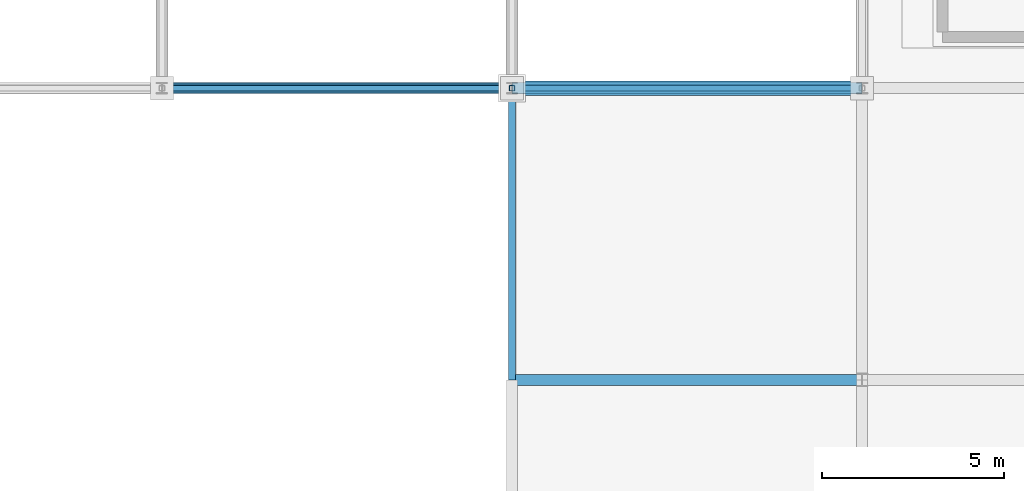
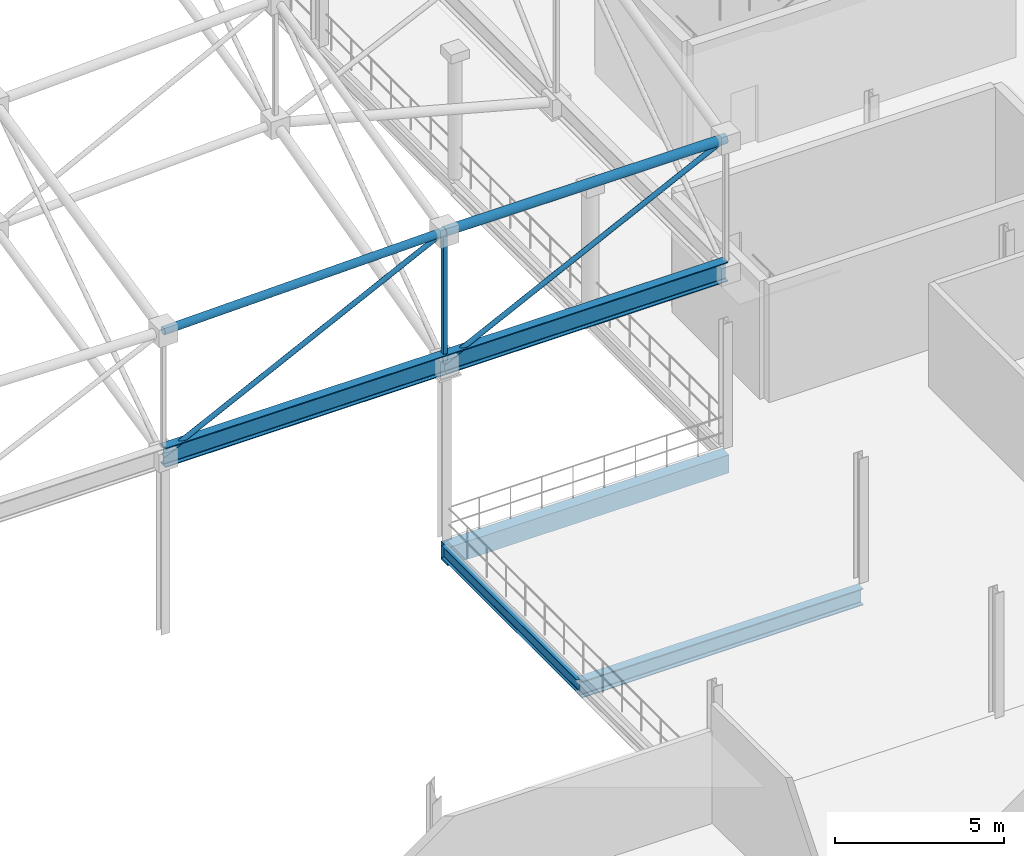
# One storey, part 79 of 193: 5 beams, 5 members.
"""IFC4 building model written with IfcOpenShell, lengths in metres."""

import ifcopenshell
import ifcopenshell.guid

model = None  # the IFC model being written
_history = None  # IfcOwnerHistory: only IFC2X3 demands one
_inside = {}  # id of a spatial element -> (the spatial element, [elements in it])
_under = {}  # id of a project, library or spatial element -> (it, [spatial elements below it])
_declared = {}  # id of a project -> (the project, [libraries it declares])
_typed = {}  # id of a type object -> (the type object, [elements of that type])
_made_of = {}  # id of a material, layer set ... -> (it, [elements and type objects made of it])


def new_model(schema):
    """Start an empty IFC model of exactly this schema.

    Asked for "IFC4X3", IfcOpenShell would pick the latest addendum, in which some entities
    have other attributes; the version numbers below select the first issue.
    IFC2X3 requires an IfcOwnerHistory on every rooted entity: one is made here for all.
    """
    global model, _history
    if schema == "IFC4X3":
        model = ifcopenshell.file(schema_version=(4, 3, 0, 0))
    else:
        model = ifcopenshell.file(schema=schema)
    _inside.clear()
    _under.clear()
    _declared.clear()
    _typed.clear()
    _made_of.clear()
    _history = None
    if model.schema == "IFC2X3":
        org = make("IfcOrganization", Name="unknown")
        user = make(
            "IfcPersonAndOrganization",
            ThePerson=make("IfcPerson", FamilyName="unknown"),
            TheOrganization=org,
        )
        app = make(
            "IfcApplication",
            ApplicationDeveloper=org,
            Version="unknown",
            ApplicationFullName="unknown",
            ApplicationIdentifier="unknown",
        )
        _history = make(
            "IfcOwnerHistory",
            OwningUser=user,
            OwningApplication=app,
            ChangeAction="ADDED",
            CreationDate=0,
        )
    return model


def make(cls, **values):
    """One entity of the class cls with the attributes given. An attribute that is None is left unset."""
    return model.create_entity(
        cls, **{name: value for name, value in values.items() if value is not None}
    )


def rooted(cls, **values):
    """An entity with a GlobalId (a new one), such as an element, a storey or a relation."""
    return make(cls, GlobalId=ifcopenshell.guid.new(), OwnerHistory=_history, **values)


def si_unit(unit_type, name, prefix=None):
    """IfcSIUnit, for example si_unit("LENGTHUNIT", "METRE", prefix="MILLI")."""
    return make("IfcSIUnit", UnitType=unit_type, Prefix=prefix, Name=name)


def assignment(units):
    """IfcUnitAssignment: the units of a project."""
    return None if units is None else make("IfcUnitAssignment", Units=units)


def point(xyz):
    """IfcCartesianPoint."""
    return None if xyz is None else make("IfcCartesianPoint", Coordinates=xyz)


def direction(xyz):
    """IfcDirection."""
    return None if xyz is None else make("IfcDirection", DirectionRatios=xyz)


def frame(location, z_axis=None, x_axis=None):
    """IfcAxis2Placement3D, a coordinate frame: its origin and axes. An axis left out is left unset."""
    return make(
        "IfcAxis2Placement3D",
        Location=point(location),
        Axis=direction(z_axis),
        RefDirection=direction(x_axis),
    )


def frame_2d(location, x_axis=None):
    """IfcAxis2Placement2D, a coordinate frame in the plane: its origin and x axis."""
    return make(
        "IfcAxis2Placement2D", Location=point(location), RefDirection=direction(x_axis)
    )


def origin():
    """The frame at (0, 0, 0) with its axes left unset."""
    return frame((0.0, 0.0, 0.0))


def origin_2d():
    """The frame at (0, 0) in the plane with its x axis left unset."""
    return frame_2d((0.0, 0.0))


def place(relative_to, where):
    """IfcLocalPlacement: puts the frame where relative to a parent placement (None: the world)."""
    return make(
        "IfcLocalPlacement", PlacementRelTo=relative_to, RelativePlacement=where
    )


def context(
    kind, dimensions, precision=None, world=None, true_north=None, identifier=None
):
    """IfcGeometricRepresentationContext, for example the 3D "Model" context."""
    return make(
        "IfcGeometricRepresentationContext",
        ContextIdentifier=identifier,
        ContextType=kind,
        CoordinateSpaceDimension=dimensions,
        Precision=precision,
        WorldCoordinateSystem=world,
        TrueNorth=true_north,
    )


def subcontext(parent, identifier, kind, view, scale=None):
    """IfcGeometricRepresentationSubContext, for example "Body" below "Model"."""
    return make(
        "IfcGeometricRepresentationSubContext",
        ContextIdentifier=identifier,
        ContextType=kind,
        ParentContext=parent,
        TargetScale=scale,
        TargetView=view,
    )


def project(units=None, contexts=None):
    """IfcProject with its units and contexts."""
    return rooted(
        "IfcProject",
        Name="project",
        RepresentationContexts=contexts,
        UnitsInContext=assignment(units),
    )


def spatial(cls, under=None, at=None, **own):
    """A site, building, storey or space (cls), placed at a placement, below another one or the project."""
    s = rooted(cls, ObjectPlacement=at, **own)
    if under is not None:
        _under.setdefault(under.id(), (under, []))[1].append(s)
    return s


def profile(cls, at=None, kind="AREA", **sizes):
    """A parametric profile (cls). Its sizes go by their IFC names, for example OverallWidth=200.0."""
    return make(cls, ProfileType=kind, Position=at, **sizes)


def rectangle(**sizes):
    """IfcRectangleProfileDef."""
    return profile("IfcRectangleProfileDef", **sizes)


def hollow_rectangle(**sizes):
    """IfcRectangleHollowProfileDef."""
    return profile("IfcRectangleHollowProfileDef", **sizes)


def hollow_circle(**sizes):
    """IfcCircleHollowProfileDef."""
    return profile("IfcCircleHollowProfileDef", **sizes)


def i_section(**sizes):
    """IfcIShapeProfileDef."""
    return profile("IfcIShapeProfileDef", **sizes)


def extrude(swept, where, along, depth):
    """IfcExtrudedAreaSolid: the profile swept, set in the frame where, extruded along a direction by depth."""
    return make(
        "IfcExtrudedAreaSolid",
        SweptArea=swept,
        Position=where,
        ExtrudedDirection=direction(along),
        Depth=depth,
    )


def shape(context_of_items, identifier, shape_type, items):
    """IfcShapeRepresentation: the items that make up one representation, for example the "Body"."""
    return make(
        "IfcShapeRepresentation",
        ContextOfItems=context_of_items,
        RepresentationIdentifier=identifier,
        RepresentationType=shape_type,
        Items=items,
    )


def material(Name=None, Category=None):
    """IfcMaterial."""
    return make("IfcMaterial", Name=Name, Category=Category)


def material_profile(
    of_material, cross_section, Name=None, Category=None, Priority=None
):
    """IfcMaterialProfile: a cross section and its material."""
    return make(
        "IfcMaterialProfile",
        Name=Name,
        Material=of_material,
        Profile=cross_section,
        Priority=Priority,
        Category=Category,
    )


def profile_set(profiles, Name=None, composite=None):
    """IfcMaterialProfileSet."""
    return make(
        "IfcMaterialProfileSet",
        Name=Name,
        MaterialProfiles=profiles,
        CompositeProfile=composite,
    )


def made_of(thing, what):
    """Note that an element or type object is made of a material, layer set ...; save() writes the relation."""
    if what is not None:
        _made_of.setdefault(what.id(), (what, []))[1].append(thing)
    return thing


def type_object(cls, material=None, **own):
    """A type object (cls), such as IfcWallType, which elements share."""
    return made_of(rooted(cls, **own), material)


def element(
    cls,
    number,
    at=None,
    inside=None,
    cuts=None,
    type_object=None,
    material=None,
    context=None,
    identifier="Body",
    shape_type=None,
    held_by="IfcProductDefinitionShape",
    body=None,
    shapes=None,
    **own,
):
    """One element of the class cls, such as IfcWall. Its Tag is "e" and its number.

    at: its placement. inside: the storey or other place that contains it. cuts: it is an
    opening in that element (IfcRelVoidsElement). A single representation is given by context,
    identifier, shape_type and body (its items); several are given by shapes. held_by: the class
    of the entity that holds the representations. save() writes the other relations.
    """
    e = rooted(cls, Tag="e%d" % number, ObjectPlacement=at, **own)
    if body is not None:
        shapes = [shape(context, identifier, shape_type, body)]
    if shapes is not None:
        e.Representation = make(held_by, Representations=shapes)
    if inside is not None:
        _inside.setdefault(inside.id(), (inside, []))[1].append(e)
    if cuts is not None:
        rooted(
            "IfcRelVoidsElement", RelatingBuildingElement=cuts, RelatedOpeningElement=e
        )
    if type_object is not None:
        _typed.setdefault(type_object.id(), (type_object, []))[1].append(e)
    return made_of(e, material)


def aggregate(whole, parts):
    """IfcRelAggregates: a whole, such as a stair, and the parts it consists of."""
    return rooted("IfcRelAggregates", RelatingObject=whole, RelatedObjects=parts)


def save(model, path):
    """Write the relations noted so far, then the file.

    IfcRelAggregates (storeys below a building ...), IfcRelContainedInSpatialStructure (elements
    in a storey), IfcRelDefinesByType, IfcRelAssociatesMaterial and IfcRelDeclares: one each for
    every whole, place, type object, material and project.
    """
    for whole, parts in _under.values():
        aggregate(whole, parts)
    for where, things in _inside.values():
        rooted(
            "IfcRelContainedInSpatialStructure",
            RelatedElements=things,
            RelatingStructure=where,
        )
    for kind, things in _typed.values():
        rooted("IfcRelDefinesByType", RelatedObjects=things, RelatingType=kind)
    for what, things in _made_of.values():
        rooted("IfcRelAssociatesMaterial", RelatedObjects=things, RelatingMaterial=what)
    for by, libraries in _declared.values():
        rooted("IfcRelDeclares", RelatingContext=by, RelatedDefinitions=libraries)
    model.write(path)


model = new_model("IFC4")

# Units and contexts
model_context = context("Model", 3, precision=1e-05, world=origin(), true_north=direction((0.0, 1.0)))
body_context = subcontext(model_context, "Body", "Model", "MODEL_VIEW")
ifc_project = project(units=[si_unit("LENGTHUNIT", "METRE"), si_unit("AREAUNIT", "SQUARE_METRE"), si_unit("VOLUMEUNIT", "CUBIC_METRE"), si_unit("PLANEANGLEUNIT", "RADIAN"), si_unit("MASSUNIT", "GRAM", prefix="KILO")], contexts=[model_context])

# Site, building, storey
site_placement = place(None, origin())
site = spatial("IfcSite", under=ifc_project, at=site_placement, CompositionType="ELEMENT")
building_placement = place(site_placement, origin())
building = spatial("IfcBuilding", under=site, at=building_placement, Name="Danafjord Basin Convention Centre", CompositionType="ELEMENT")
storey_placement = place(building_placement, frame((0.0, 0.0, 11.39990234375)))
storey = spatial("IfcBuildingStorey", under=building, at=storey_placement, Name="L02", CompositionType="ELEMENT", Elevation=11.39990234375)

# Beams
ifc_material_1 = material(Name="Steel S355", Category="steel")
ifc_material_profile_1 = material_profile(ifc_material_1, i_section(OverallWidth=0.300048828125, OverallDepth=0.60009765625, WebThickness=0.015380859375, FlangeThickness=0.030029296875, FilletRadius=0.027099609375, at=origin_2d()), Name="HEB 600")
ifc_profile_set_1 = profile_set([ifc_material_profile_1], Name="Steel S355")
beam_type_1 = type_object("IfcBeamType", Name="BEAM-BM-HEB600", PredefinedType="BEAM", material=ifc_profile_set_1)
beam_1_placement = place(storey_placement, frame((182.39990234375, 32.0, -0.52978515625), z_axis=(1.0, 0.0, 0.0), x_axis=(0.0, 1.0, 0.0)))
element("IfcBeam", 1, at=beam_1_placement, inside=storey, type_object=beam_type_1, Name="L02 girder BM-HEB600", PredefinedType="BEAM", context=body_context, shape_type="SweptSolid", body=[
    extrude(i_section(OverallWidth=0.300048828125, OverallDepth=0.60009765625, WebThickness=0.015380859375, FlangeThickness=0.030029296875, FilletRadius=0.027099609375, at=origin_2d()), origin(), (0.0, 0.0, 1.0), 9.60009765625),
])
ifc_material_profile_2 = material_profile(ifc_material_1, i_section(OverallWidth=0.300048828125, OverallDepth=0.699951171875, WebThickness=0.01708984375, FlangeThickness=0.031982421875, FilletRadius=0.027099609375, at=origin_2d()), Name="HEB 700")
ifc_profile_set_2 = profile_set([ifc_material_profile_2], Name="Steel S355")
beam_type_2 = type_object("IfcBeamType", Name="BEAM-BM-HEB700", PredefinedType="BEAM", material=ifc_profile_set_2)
beam_2_placement = place(storey_placement, frame((172.800048828125, 40.0, 6.35009765625), z_axis=(1.0, 0.0, 0.0), x_axis=(0.0, 1.0, 0.0)))
element("IfcBeam", 2, at=beam_2_placement, inside=storey, type_object=beam_type_2, Name="V3 space-frame perimeter ring girder", PredefinedType="BEAM", context=body_context, shape_type="SweptSolid", body=[
    extrude(i_section(OverallWidth=0.300048828125, OverallDepth=0.699951171875, WebThickness=0.01708984375, FlangeThickness=0.031982421875, FilletRadius=0.027099609375, at=origin_2d()), origin(), (0.0, 0.0, 1.0), 9.599853515625),
])
beam_3_placement = place(storey_placement, frame((182.39990234375, 40.0, 6.35009765625), z_axis=(1.0, 0.0, 0.0), x_axis=(0.0, 1.0, 0.0)))
element("IfcBeam", 3, at=beam_3_placement, inside=storey, type_object=beam_type_2, Name="V3 space-frame perimeter ring girder", PredefinedType="BEAM", context=body_context, shape_type="SweptSolid", body=[
    extrude(i_section(OverallWidth=0.300048828125, OverallDepth=0.699951171875, WebThickness=0.01708984375, FlangeThickness=0.031982421875, FilletRadius=0.027099609375, at=origin_2d()), origin(), (0.0, 0.0, 1.0), 9.60009765625),
])
ifc_material_profile_3 = material_profile(ifc_material_1, i_section(OverallWidth=0.18994140625, OverallDepth=0.449951171875, WebThickness=0.009521484375, FlangeThickness=0.0146484375, FilletRadius=0.02099609375, at=origin_2d()), Name="IPE 450")
ifc_profile_set_3 = profile_set([ifc_material_profile_3], Name="Steel S355")
beam_type_3 = type_object("IfcBeamType", Name="BEAM-SP-IPE450", PredefinedType="SPANDREL", material=ifc_profile_set_3)
beam_4_placement = place(storey_placement, frame((182.39990234375, 32.0, -0.454833984375), z_axis=(0.0, 1.0, 0.0), x_axis=(-1.0, 0.0, 0.0)))
element("IfcBeam", 4, at=beam_4_placement, inside=storey, type_object=beam_type_3, Name="L02 transverse girder SP-IPE450", PredefinedType="SPANDREL", context=body_context, shape_type="SweptSolid", body=[
    extrude(i_section(OverallWidth=0.18994140625, OverallDepth=0.449951171875, WebThickness=0.009521484375, FlangeThickness=0.0146484375, FilletRadius=0.02099609375, at=origin_2d()), origin(), (0.0, 0.0, 1.0), 8.0),
])
ifc_material_2 = material(Name="Precast concrete C45/55", Category="concrete")
ifc_material_profile_4 = material_profile(ifc_material_2, rectangle(XDim=0.39990234375, YDim=0.64990234375, at=origin_2d()), Name="PCB 400x650")
ifc_profile_set_4 = profile_set([ifc_material_profile_4], Name="Precast concrete C45/55")
beam_type_4 = type_object("IfcBeamType", Name="BEAM-SP-PCB650", PredefinedType="SPANDREL", material=ifc_profile_set_4)
beam_5_placement = place(storey_placement, frame((182.39990234375, 40.0, -0.554931640625), z_axis=(1.0, 0.0, 0.0), x_axis=(0.0, 1.0, 0.0)))
element("IfcBeam", 5, at=beam_5_placement, inside=storey, type_object=beam_type_4, Name="L02 girder SP-PCB650", PredefinedType="SPANDREL", context=body_context, shape_type="SweptSolid", body=[
    extrude(rectangle(XDim=0.39990234375, YDim=0.64990234375, at=origin_2d()), origin(), (0.0, 0.0, 1.0), 9.60009765625),
])

# Members
ifc_material_profile_5 = material_profile(ifc_material_1, hollow_circle(Radius=0.136474609375, WallThickness=0.012451171875, at=origin_2d()), Name="CHS 273.0x12.5")
ifc_profile_set_5 = profile_set([ifc_material_profile_5], Name="Steel S355")
member_type_1 = type_object("IfcMemberType", Name="MEM-CH-CHS273", PredefinedType="CHORD", material=ifc_profile_set_5)
member_1_placement = place(storey_placement, frame((172.800048828125, 40.0, 10.85009765625), z_axis=(0.999725208244, 0.0, 0.023441586989), x_axis=(0.0, 1.0, 0.0)))
element("IfcMember", 6, at=member_1_placement, inside=storey, type_object=member_type_1, Name="V3 roof truss longitudinal top chord", PredefinedType="CHORD", context=body_context, shape_type="SweptSolid", body=[
    extrude(hollow_circle(Radius=0.136474609375, WallThickness=0.012451171875, at=origin_2d()), origin(), (0.0, 0.0, 1.0), 9.6025390625),
])
ifc_material_profile_6 = material_profile(ifc_material_1, hollow_circle(Radius=0.161865234375, WallThickness=0.01611328125, at=origin_2d()), Name="CHS 323.9x16.0")
ifc_profile_set_6 = profile_set([ifc_material_profile_6], Name="Steel S355")
member_type_2 = type_object("IfcMemberType", Name="MEM-CH-CHS324", PredefinedType="CHORD", material=ifc_profile_set_6)
member_2_placement = place(storey_placement, frame((182.39990234375, 40.0, 11.0751953125), z_axis=(1.0, 0.0, 0.0), x_axis=(0.0, 1.0, 0.0)))
element("IfcMember", 7, at=member_2_placement, inside=storey, type_object=member_type_2, Name="V3 roof truss longitudinal top chord", PredefinedType="CHORD", context=body_context, shape_type="SweptSolid", body=[
    extrude(hollow_circle(Radius=0.161865234375, WallThickness=0.01611328125, at=origin_2d()), origin(), (0.0, 0.0, 1.0), 9.60009765625),
])
ifc_material_profile_7 = material_profile(ifc_material_1, hollow_rectangle(XDim=0.14990234375, YDim=0.14990234375, WallThickness=0.008056640625, InnerFilletRadius=0.011962890625, OuterFilletRadius=0.02001953125, at=origin_2d()), Name="SHS 150x150x8.0")
ifc_profile_set_7 = profile_set([ifc_material_profile_7], Name="Steel S355")
member_type_3 = type_object("IfcMemberType", Name="MEM-ST-SHS150", PredefinedType="STRUT", material=ifc_profile_set_7)
member_3_placement = place(storey_placement, frame((182.39990234375, 40.0, 6.35009765625), z_axis=(0.0, 0.0, 1.0), x_axis=(1.0, 0.0, 0.0)))
element("IfcMember", 8, at=member_3_placement, inside=storey, type_object=member_type_3, Name="V3 roof truss vertical strut", PredefinedType="STRUT", context=body_context, shape_type="SweptSolid", body=[
    extrude(hollow_rectangle(XDim=0.14990234375, YDim=0.14990234375, WallThickness=0.008056640625, InnerFilletRadius=0.011962890625, OuterFilletRadius=0.02001953125, at=origin_2d()), origin(), (0.0, 0.0, 1.0), 4.72509765625),
])
ifc_material_profile_8 = material_profile(ifc_material_1, hollow_circle(Radius=0.084228515625, WallThickness=0.008056640625, at=origin_2d()), Name="CHS 168.3x8.0")
ifc_profile_set_8 = profile_set([ifc_material_profile_8], Name="Steel S355")
member_type_4 = type_object("IfcMemberType", Name="MEM-WB-CHS168", PredefinedType="MEMBER", material=ifc_profile_set_8)
member_4_placement = place(storey_placement, frame((172.800048828125, 40.0, 6.35009765625), z_axis=(0.897207118397, 0.0, 0.441609993883), x_axis=(0.0, 1.0, 0.0)))
element("IfcMember", 9, at=member_4_placement, inside=storey, type_object=member_type_4, Name="V3 space-frame longitudinal web", PredefinedType="MEMBER", context=body_context, shape_type="SweptSolid", body=[
    extrude(hollow_circle(Radius=0.084228515625, WallThickness=0.008056640625, at=origin_2d()), origin(), (0.0, 0.0, 1.0), 10.69970703125),
])
member_5_placement = place(storey_placement, frame((182.39990234375, 40.0, 6.35009765625), z_axis=(0.897211568117, 0.0, 0.441600953393), x_axis=(0.0, 1.0, 0.0)))
element("IfcMember", 10, at=member_5_placement, inside=storey, type_object=member_type_4, Name="V3 space-frame longitudinal web", PredefinedType="MEMBER", context=body_context, shape_type="SweptSolid", body=[
    extrude(hollow_circle(Radius=0.084228515625, WallThickness=0.008056640625, at=origin_2d()), origin(), (0.0, 0.0, 1.0), 10.699951171875),
])

save(model, "model.ifc")
